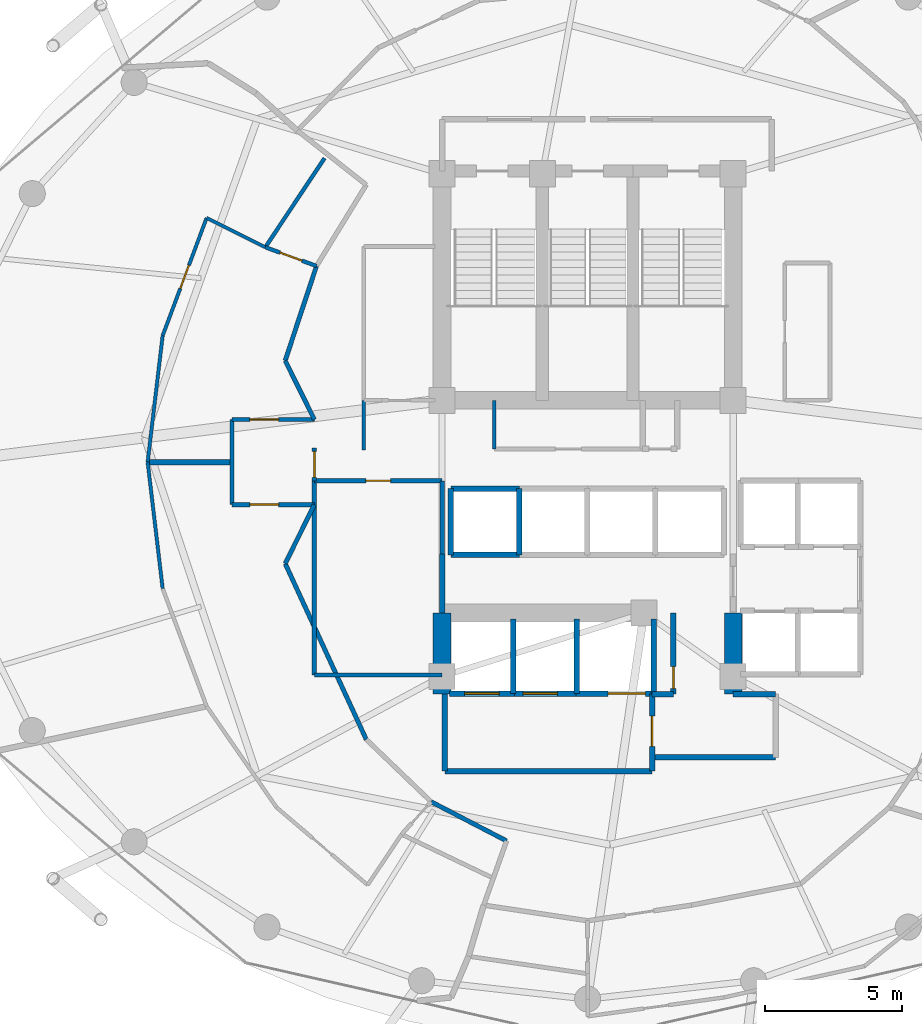
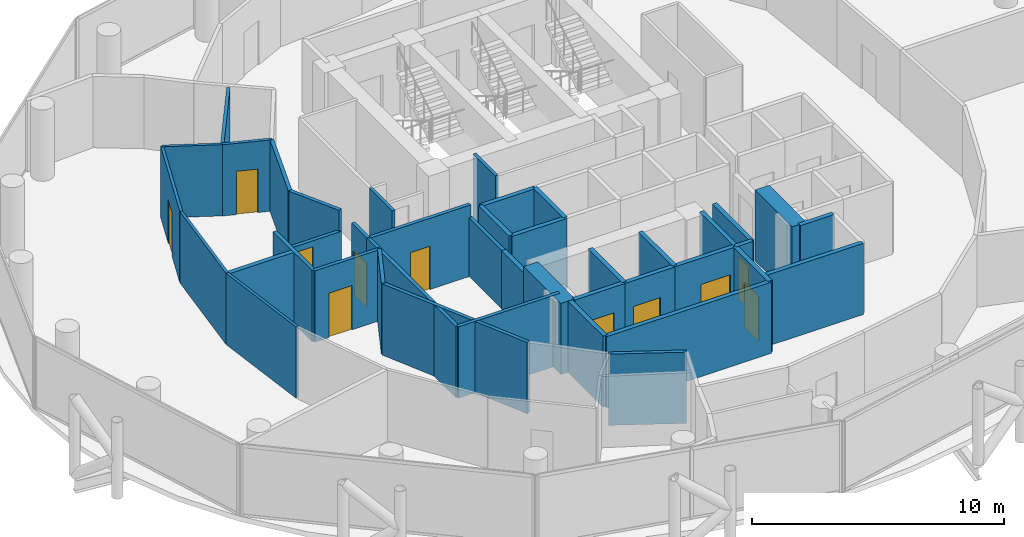
# One storey, part 22 of 26: 42 walls, 11 doors, 11 openings.
"""IFC4 building model written with IfcOpenShell, lengths in metres."""

from ifc_helpers import new_model, si_unit, direction, frame, frame_2d, origin, place, context, subcontext, project, spatial, rectangle, extrude, material, layer, layer_set, type_object, element, fill, save


model = new_model("IFC4")

# Units and contexts
model_context = context("Model", 3, precision=1e-05, world=origin(), true_north=direction((0.0, 1.0)))
body_context = subcontext(model_context, "Body", "Model", "MODEL_VIEW")
ifc_project = project(units=[si_unit("LENGTHUNIT", "METRE"), si_unit("AREAUNIT", "SQUARE_METRE"), si_unit("VOLUMEUNIT", "CUBIC_METRE"), si_unit("PLANEANGLEUNIT", "RADIAN"), si_unit("MASSUNIT", "GRAM", prefix="KILO")], contexts=[model_context])

# Site, building, storey
site_placement = place(None, origin())
site = spatial("IfcSite", under=ifc_project, at=site_placement, CompositionType="ELEMENT")
building_placement = place(site_placement, origin())
building = spatial("IfcBuilding", under=site, at=building_placement, Name="Nuhasar Tower", CompositionType="ELEMENT")
storey_placement = place(building_placement, frame((0.0, 0.0, 188.550048828125)))
storey = spatial("IfcBuildingStorey", under=building, at=storey_placement, Name="L46", CompositionType="ELEMENT", Elevation=188.550048828125)

# Walls
ifc_material_1 = material(Name="Concrete C65/80", Category="concrete")
ifc_layer_1 = layer(ifc_material_1, 0.64990234375)
ifc_layer_set_1 = layer_set([ifc_layer_1], Name="Concrete C65/80")
wall_type_1 = type_object("IfcWallType", Name="WL-CORE-650", PredefinedType="SHEAR", material=ifc_layer_set_1)
for number, where, z_axis, x_axis, name in (
    (1, (33.699951171875, 18.35009765625, 0.0), (0.0, 0.0, 1.0), (0.0, 1.0, 0.0), "L46 Core Shear Wall CW-SW CW-650"),
    (2, (44.300048828125, 18.35009765625, 0.0), (0.0, 0.0, 1.0), (0.0, 1.0, 0.0), "L46 Core Shear Wall CW-SE CW-650"),
):
    element("IfcWall", number, at=place(storey_placement, frame(where, z_axis=z_axis, x_axis=x_axis)), inside=storey, type_object=wall_type_1, Name=name, PredefinedType="SHEAR", context=body_context, shape_type="SweptSolid", body=[
        extrude(rectangle(XDim=2.949951171875, YDim=0.64990234375, at=frame_2d((1.47509765625, 0.0))), origin(), (0.0, 0.0, 1.0), 3.449951171875),
    ])
ifc_material_2 = material(Name="Gypsum Board", Category="gypsum")
ifc_layer_2 = layer(ifc_material_2, 0.159912109375)
ifc_layer_set_2 = layer_set([ifc_layer_2], Name="Gypsum Board")
wall_type_2 = type_object("IfcWallType", Name="WL-CORR-160", PredefinedType="PARTITIONING", material=ifc_layer_set_2)
wall_1_placement = place(storey_placement, frame((29.050048828125, 19.050048828125, 0.0), z_axis=(0.0, 0.0, 1.0), x_axis=(1.0, 0.0, 0.0)))
element("IfcWall", 3, at=wall_1_placement, inside=storey, type_object=wall_type_2, Name="L46 Interior Partition RECL-B1-S", PredefinedType="PARTITIONING", context=body_context, shape_type="SweptSolid", body=[
    extrude(rectangle(XDim=4.64990234375, YDim=0.159912109375, at=frame_2d((2.324951171875, 0.0))), origin(), (0.0, 0.0, 1.0), 3.449951171875),
])
wall_2_placement = place(storey_placement, frame((29.050048828125, 19.050048828125, 0.0), z_axis=(0.0, 0.0, 1.0), x_axis=(0.0, 1.0, 0.0)))
element("IfcWall", 4, at=wall_2_placement, inside=storey, type_object=wall_type_2, Name="L46 Interior Partition RECL-B1-W", PredefinedType="PARTITIONING", context=body_context, shape_type="SweptSolid", body=[
    extrude(rectangle(XDim=7.070068359375, YDim=0.159912109375, at=frame_2d((3.53515625, 0.0))), origin(), (0.0, 0.0, 1.0), 3.449951171875),
])
wall_3_placement = place(storey_placement, frame((33.699951171875, 23.449951171875, 0.0), z_axis=(0.0, 0.0, 1.0), x_axis=(0.0, 1.0, 0.0)))
element("IfcWall", 5, at=wall_3_placement, inside=storey, type_object=wall_type_2, Name="L46 Interior Partition RECL-B1-E", PredefinedType="PARTITIONING", context=body_context, shape_type="SweptSolid", body=[
    extrude(rectangle(XDim=2.670166015625, YDim=0.159912109375, at=frame_2d((1.3349609375, 0.0))), origin(), (0.0, 0.0, 1.0), 2.8349609375),
])

# Wall, opening, door
wall_4_placement = place(storey_placement, frame((33.699951171875, 26.1201171875, 0.0), z_axis=(0.0, 0.0, 1.0), x_axis=(-1.0, 0.0, 0.0)))
wall_4 = element("IfcWall", 6, at=wall_4_placement, inside=storey, type_object=wall_type_2, Name="L46 Interior Partition RECL-B1-N", PredefinedType="PARTITIONING", context=body_context, shape_type="SweptSolid", body=[
    extrude(rectangle(XDim=4.64990234375, YDim=0.159912109375, at=frame_2d((2.324951171875, 0.0))), origin(), (0.0, 0.0, 1.0), 3.449951171875),
])
opening_1_placement = place(wall_4_placement, frame((1.875, 0.0, 0.0)))
opening_1 = element("IfcOpeningElement", 7, at=opening_1_placement, cuts=wall_4, Name="Opening DR-01", PredefinedType="OPENING", context=body_context, shape_type="SweptSolid", body=[
    extrude(rectangle(XDim=0.89990234375, YDim=2.10009765625, at=frame_2d((0.449951171875, 1.050048828125))), frame((0.0, 0.08984375, 0.0), z_axis=(0.0, -1.0, 0.0), x_axis=(1.0, 0.0, 0.0)), (0.0, 0.0, 1.0), 0.179931640625),
])
ifc_material_3 = material(Name="Timber Oak", Category="wood")
door_type_1 = type_object("IfcDoorType", Name="DR-ROOM-900", OperationType="NOTDEFINED", PredefinedType="DOOR", material=ifc_material_3)
door_1_placement = place(opening_1_placement, origin())
door_1 = element("IfcDoor", 8, at=door_1_placement, inside=storey, type_object=door_type_1, Name="L46 Butler Store Door", OperationType="SINGLE_SWING_RIGHT", OverallHeight=2.10009765625, OverallWidth=0.89990234375, PredefinedType="DOOR", context=body_context, shape_type="SweptSolid", body=[
    extrude(rectangle(XDim=0.89990234375, YDim=2.10009765625, at=frame_2d((0.449951171875, 1.050048828125))), frame((0.0, 0.02490234375, 0.0), z_axis=(0.0, -1.0, 0.0), x_axis=(1.0, 0.0, 0.0)), (0.0, 0.0, 1.0), 0.050048828125),
])
fill(opening_1, door_1)

wall_5_placement = place(storey_placement, frame((29.050048828125, 26.1201171875, 0.0), z_axis=(0.0, 0.0, 1.0), x_axis=(0.0, 1.0, 0.0)))
wall_5 = element("IfcWall", 9, at=wall_5_placement, inside=storey, type_object=wall_type_2, Name="L46 Interior Partition WVEST-E", PredefinedType="PARTITIONING", context=body_context, shape_type="SweptSolid", body=[
    extrude(rectangle(XDim=1.199951171875, YDim=0.159912109375, at=frame_2d((0.60009765625, 0.0))), origin(), (0.0, 0.0, 1.0), 3.449951171875),
])
opening_2_placement = place(wall_5_placement, frame((0.125, 0.0, 0.0)))
opening_2 = element("IfcOpeningElement", 10, at=opening_2_placement, cuts=wall_5, Name="Opening DO-01", PredefinedType="OPENING", context=body_context, shape_type="SweptSolid", body=[
    extrude(rectangle(XDim=0.949951171875, YDim=2.14990234375, at=frame_2d((0.47509765625, 1.074951171875))), frame((0.0, 0.08984375, 0.0), z_axis=(0.0, -1.0, 0.0), x_axis=(1.0, 0.0, 0.0)), (0.0, 0.0, 1.0), 0.179931640625),
])
door_type_2 = type_object("IfcDoorType", Name="DR-OFFICE-FD30-950", OperationType="NOTDEFINED", PredefinedType="DOOR", material=ifc_material_3)
door_2_placement = place(opening_2_placement, origin())
door_2 = element("IfcDoor", 11, at=door_2_placement, inside=storey, type_object=door_type_2, Name="L46 West Arrival Foyer Core Door", OperationType="SINGLE_SWING_RIGHT", OverallHeight=2.14990234375, OverallWidth=0.949951171875, PredefinedType="DOOR", context=body_context, shape_type="SweptSolid", body=[
    extrude(rectangle(XDim=0.949951171875, YDim=2.14990234375, at=frame_2d((0.47509765625, 1.074951171875))), frame((0.0, 0.02490234375, 0.0), z_axis=(0.0, -1.0, 0.0), x_axis=(1.0, 0.0, 0.0)), (0.0, 0.0, 1.0), 0.050048828125),
])
fill(opening_2, door_2)

# Walls
wall_6_placement = place(storey_placement, frame((29.126953125, 33.93994140625, 0.0), z_axis=(0.0, 0.0, 1.0), x_axis=(-0.313985571683, -0.949427754374, 0.0)))
element("IfcWall", 12, at=wall_6_placement, inside=storey, type_object=wall_type_2, Name="L46 Interior Partition HWEST-CORE-N-20", PredefinedType="PARTITIONING", context=body_context, shape_type="SweptSolid", body=[
    extrude(rectangle(XDim=3.627197265625, YDim=0.159912109375, at=frame_2d((1.8134765625, 0.0))), origin(), (0.0, 0.0, 1.0), 3.449951171875),
])
wall_7_placement = place(storey_placement, frame((27.988037109375, 23.10400390625, 0.0), z_axis=(0.0, 0.0, 1.0), x_axis=(0.418656179426, -0.908144814128, 0.0)))
element("IfcWall", 13, at=wall_7_placement, inside=storey, type_object=wall_type_2, Name="L46 Interior Partition HWEST-CORE-S1-26", PredefinedType="PARTITIONING", context=body_context, shape_type="SweptSolid", body=[
    extrude(rectangle(XDim=7.048583984375, YDim=0.159912109375, at=frame_2d((3.5244140625, 0.0))), origin(), (0.0, 0.0, 1.0), 3.449951171875),
])
wall_8_placement = place(storey_placement, frame((33.300048828125, 14.43310546875, 0.0), z_axis=(0.0, 0.0, 1.0), x_axis=(0.887674575788, -0.460471331898, 0.0)))
element("IfcWall", 14, at=wall_8_placement, inside=storey, type_object=wall_type_2, Name="L46 Interior Partition HWEST-CORE-S2-32", PredefinedType="PARTITIONING", context=body_context, shape_type="SweptSolid", body=[
    extrude(rectangle(XDim=3.096923828125, YDim=0.159912109375, at=frame_2d((1.54833984375, 0.0))), origin(), (0.0, 0.0, 1.0), 3.449951171875),
])

# Wall, opening, door
wall_9_placement = place(storey_placement, frame((26.050048828125, 28.35009765625, 0.0), z_axis=(0.0, 0.0, 1.0), x_axis=(1.0, 0.0, 0.0)))
wall_9 = element("IfcWall", 15, at=wall_9_placement, inside=storey, type_object=wall_type_2, Name="L46 Interior Partition WVEST-N", PredefinedType="PARTITIONING", context=body_context, shape_type="SweptSolid", body=[
    extrude(rectangle(XDim=3.0, YDim=0.159912109375, at=frame_2d((1.5, 0.0))), origin(), (0.0, 0.0, 1.0), 2.43994140625),
])
opening_3_placement = place(wall_9_placement, frame((0.64990234375, 0.0, 0.0)))
opening_3 = element("IfcOpeningElement", 16, at=opening_3_placement, cuts=wall_9, Name="Opening DU-01", PredefinedType="OPENING", context=body_context, shape_type="SweptSolid", body=[
    extrude(rectangle(XDim=1.050048828125, YDim=2.14990234375, at=frame_2d((0.52490234375, 1.074951171875))), frame((0.0, 0.08984375, 0.0), z_axis=(0.0, -1.0, 0.0), x_axis=(1.0, 0.0, 0.0)), (0.0, 0.0, 1.0), 0.179931640625),
])
door_type_3 = type_object("IfcDoorType", Name="DR-SUITE-FD60-1050", OperationType="NOTDEFINED", PredefinedType="DOOR", material=ifc_material_3)
door_3_placement = place(opening_3_placement, origin())
door_3 = element("IfcDoor", 17, at=door_3_placement, inside=storey, type_object=door_type_3, Name="L46 North-West Sunset Suite Entrance", OperationType="SINGLE_SWING_LEFT", OverallHeight=2.14990234375, OverallWidth=1.050048828125, PredefinedType="DOOR", context=body_context, shape_type="SweptSolid", body=[
    extrude(rectangle(XDim=1.050048828125, YDim=2.14990234375, at=frame_2d((0.52490234375, 1.074951171875))), frame((0.0, 0.02490234375, 0.0), z_axis=(0.0, -1.0, 0.0), x_axis=(1.0, 0.0, 0.0)), (0.0, 0.0, 1.0), 0.050048828125),
])
fill(opening_3, door_3)

wall_10_placement = place(storey_placement, frame((26.050048828125, 25.25, 0.0), z_axis=(0.0, 0.0, 1.0), x_axis=(1.0, 0.0, 0.0)))
wall_10 = element("IfcWall", 18, at=wall_10_placement, inside=storey, type_object=wall_type_2, Name="L46 Interior Partition WVEST-S", PredefinedType="PARTITIONING", context=body_context, shape_type="SweptSolid", body=[
    extrude(rectangle(XDim=3.0, YDim=0.159912109375, at=frame_2d((1.5, 0.0))), origin(), (0.0, 0.0, 1.0), 3.449951171875),
])
opening_4_placement = place(wall_10_placement, frame((0.64990234375, 0.0, 0.0)))
opening_4 = element("IfcOpeningElement", 19, at=opening_4_placement, cuts=wall_10, Name="Opening DU-01", PredefinedType="OPENING", context=body_context, shape_type="SweptSolid", body=[
    extrude(rectangle(XDim=1.050048828125, YDim=2.14990234375, at=frame_2d((0.52490234375, 1.074951171875))), frame((0.0, 0.08984375, 0.0), z_axis=(0.0, -1.0, 0.0), x_axis=(1.0, 0.0, 0.0)), (0.0, 0.0, 1.0), 0.179931640625),
])
door_4_placement = place(opening_4_placement, origin())
door_4 = element("IfcDoor", 20, at=door_4_placement, inside=storey, type_object=door_type_3, Name="L46 South-West Presidential Suite Entrance", OperationType="SINGLE_SWING_LEFT", OverallHeight=2.14990234375, OverallWidth=1.050048828125, PredefinedType="DOOR", context=body_context, shape_type="SweptSolid", body=[
    extrude(rectangle(XDim=1.050048828125, YDim=2.14990234375, at=frame_2d((0.52490234375, 1.074951171875))), frame((0.0, 0.02490234375, 0.0), z_axis=(0.0, -1.0, 0.0), x_axis=(1.0, 0.0, 0.0)), (0.0, 0.0, 1.0), 0.050048828125),
])
fill(opening_4, door_4)

# Walls
wall_11_placement = place(storey_placement, frame((26.050048828125, 25.25, 0.0), z_axis=(0.0, 0.0, 1.0), x_axis=(0.0, 1.0, 0.0)))
element("IfcWall", 21, at=wall_11_placement, inside=storey, type_object=wall_type_2, Name="L46 Interior Partition WVEST-W", PredefinedType="PARTITIONING", context=body_context, shape_type="SweptSolid", body=[
    extrude(rectangle(XDim=3.10009765625, YDim=0.159912109375, at=frame_2d((1.550048828125, 0.0))), origin(), (0.0, 0.0, 1.0), 3.449951171875),
])
for number, where, z_axis, x_axis, name in (
    (22, (27.988037109375, 30.49609375, 0.0), (0.0, 0.0, 1.0), (0.443539160525, -0.896254993337, 0.0), "L46 Interior Partition WVEST-CN"),
    (23, (27.988037109375, 23.10400390625, 0.0), (0.0, 0.0, 1.0), (0.443539160525, 0.896254993337, 0.0), "L46 Interior Partition WVEST-CS"),
):
    element("IfcWall", number, at=place(storey_placement, frame(where, z_axis=z_axis, x_axis=x_axis)), inside=storey, type_object=wall_type_2, Name=name, PredefinedType="PARTITIONING", context=body_context, shape_type="SweptSolid", body=[
        extrude(rectangle(XDim=2.394287109375, YDim=0.159912109375, at=frame_2d((1.197265625, 0.0))), origin(), (0.0, 0.0, 1.0), 3.449951171875),
    ])
ifc_material_4 = material(Name="Concrete C45/55", Category="concrete")
ifc_layer_3 = layer(ifc_material_4, 0.199951171875)
ifc_layer_set_3 = layer_set([ifc_layer_3], Name="Concrete C45/55")
wall_type_3 = type_object("IfcWallType", Name="WL-LOBBY-200", PredefinedType="SOLIDWALL", material=ifc_layer_set_3)
wall_12_placement = place(storey_placement, frame((33.699951171875, 21.300048828125, 0.0), z_axis=(0.0, 0.0, 1.0), x_axis=(0.0, 1.0, 0.0)))
element("IfcWall", 24, at=wall_12_placement, inside=storey, type_object=wall_type_3, Name="L46 Interior Partition LLBH-W", PredefinedType="SOLIDWALL", context=body_context, shape_type="SweptSolid", body=[
    extrude(rectangle(XDim=2.14990234375, YDim=0.199951171875, at=frame_2d((1.074951171875, 0.0))), origin(), (0.0, 0.0, 1.0), 2.8349609375),
])
wall_13_placement = place(storey_placement, frame((33.800048828125, 15.550048828125, 0.0), z_axis=(0.0, 0.0, 1.0), x_axis=(1.0, 0.0, 0.0)))
element("IfcWall", 25, at=wall_13_placement, inside=storey, type_object=wall_type_3, Name="L46 Interior Partition FFL-S", PredefinedType="SOLIDWALL", context=body_context, shape_type="SweptSolid", body=[
    extrude(rectangle(XDim=7.550048828125, YDim=0.199951171875, at=frame_2d((3.77490234375, 0.0))), origin(), (0.0, 0.0, 1.0), 3.449951171875),
])
wall_14_placement = place(storey_placement, frame((33.800048828125, 15.550048828125, 0.0), z_axis=(0.0, 0.0, 1.0), x_axis=(0.0, 1.0, 0.0)))
element("IfcWall", 26, at=wall_14_placement, inside=storey, type_object=wall_type_3, Name="L46 Interior Partition FFL-W", PredefinedType="SOLIDWALL", context=body_context, shape_type="SweptSolid", body=[
    extrude(rectangle(XDim=2.800048828125, YDim=0.199951171875, at=frame_2d((1.39990234375, 0.0))), origin(), (0.0, 0.0, 1.0), 3.449951171875),
])

# Wall, opening, door
wall_15_placement = place(storey_placement, frame((41.35009765625, 15.550048828125, 0.0), z_axis=(0.0, 0.0, 1.0), x_axis=(0.0, 1.0, 0.0)))
wall_15 = element("IfcWall", 27, at=wall_15_placement, inside=storey, type_object=wall_type_3, Name="L46 Interior Partition FFL-E", PredefinedType="SOLIDWALL", context=body_context, shape_type="SweptSolid", body=[
    extrude(rectangle(XDim=2.800048828125, YDim=0.199951171875, at=frame_2d((1.39990234375, 0.0))), origin(), (0.0, 0.0, 1.0), 3.449951171875),
])
opening_5_placement = place(wall_15_placement, frame((0.89990234375, 0.0, 0.0)))
opening_5 = element("IfcOpeningElement", 28, at=opening_5_placement, cuts=wall_15, Name="Opening DS-02", PredefinedType="OPENING", context=body_context, shape_type="SweptSolid", body=[
    extrude(rectangle(XDim=1.10009765625, YDim=2.14990234375, at=frame_2d((0.550048828125, 1.074951171875))), frame((0.0, 0.10986328125, 0.0), z_axis=(0.0, -1.0, 0.0), x_axis=(1.0, 0.0, 0.0)), (0.0, 0.0, 1.0), 0.219970703125),
])
ifc_material_5 = material(Name="Steel S355", Category="steel")
door_type_4 = type_object("IfcDoorType", Name="DR-FFL-FD120-1100", OperationType="NOTDEFINED", PredefinedType="DOOR", material=ifc_material_5)
door_5_placement = place(opening_5_placement, origin())
door_5 = element("IfcDoor", 29, at=door_5_placement, inside=storey, type_object=door_type_4, Name="L46 Firefighting Lobby Door", OperationType="SINGLE_SWING_RIGHT", OverallHeight=2.14990234375, OverallWidth=1.10009765625, PredefinedType="DOOR", context=body_context, shape_type="SweptSolid", body=[
    extrude(rectangle(XDim=1.10009765625, YDim=2.14990234375, at=frame_2d((0.550048828125, 1.074951171875))), frame((0.0, 0.02490234375, 0.0), z_axis=(0.0, -1.0, 0.0), x_axis=(1.0, 0.0, 0.0)), (0.0, 0.0, 1.0), 0.050048828125),
])
fill(opening_5, door_5)

# Walls
wall_16_placement = place(storey_placement, frame((41.35009765625, 16.050048828125, 0.0), z_axis=(0.0, 0.0, 1.0), x_axis=(1.0, 0.0, 0.0)))
element("IfcWall", 30, at=wall_16_placement, inside=storey, type_object=wall_type_3, Name="L46 Interior Partition SVLV-S", PredefinedType="SOLIDWALL", context=body_context, shape_type="SweptSolid", body=[
    extrude(rectangle(XDim=4.5, YDim=0.199951171875, at=frame_2d((2.25, 0.0))), origin(), (0.0, 0.0, 1.0), 3.449951171875),
])
wall_17_placement = place(storey_placement, frame((44.300048828125, 18.35009765625, 0.0), z_axis=(0.0, 0.0, 1.0), x_axis=(1.0, 0.0, 0.0)))
element("IfcWall", 31, at=wall_17_placement, inside=storey, type_object=wall_type_3, Name="L46 Interior Partition SVLV-N", PredefinedType="SOLIDWALL", context=body_context, shape_type="SweptSolid", body=[
    extrude(rectangle(XDim=1.550048828125, YDim=0.199951171875, at=frame_2d((0.77490234375, 0.0))), origin(), (0.0, 0.0, 1.0), 3.449951171875),
])
ifc_layer_4 = layer(ifc_material_2, 0.125)
ifc_layer_set_4 = layer_set([ifc_layer_4], Name="Gypsum Board")
wall_type_4 = type_object("IfcWallType", Name="WL-PART-125", PredefinedType="PARTITIONING", material=ifc_layer_set_4)
wall_18_placement = place(storey_placement, frame((27.264892578125, 34.625, 0.0), z_axis=(0.0, 0.0, 1.0), x_axis=(-0.895182030291, 0.445700720937, 0.0)))
element("IfcWall", 32, at=wall_18_placement, inside=storey, type_object=wall_type_4, Name="L46 Interior Partition HWS1-S", PredefinedType="PARTITIONING", context=body_context, shape_type="SweptSolid", body=[
    extrude(rectangle(XDim=2.389404296875, YDim=0.125, at=frame_2d((1.19482421875, 0.0))), origin(), (0.0, 0.0, 1.0), 3.449951171875),
])

# Wall, opening, door
wall_19_placement = place(storey_placement, frame((25.1259765625, 35.68994140625, 0.0), z_axis=(0.0, 0.0, 1.0), x_axis=(-0.349620571525, -0.936891378958, 0.0)))
wall_19 = element("IfcWall", 33, at=wall_19_placement, inside=storey, type_object=wall_type_4, Name="L46 Interior Partition HWS1-ARC-20", PredefinedType="PARTITIONING", context=body_context, shape_type="SweptSolid", body=[
    extrude(rectangle(XDim=4.57666015625, YDim=0.125, at=frame_2d((2.288330078125, 0.0))), origin(), (0.0, 0.0, 1.0), 3.449951171875),
])
opening_6_placement = place(wall_19_placement, frame((1.837890625, 0.0, 0.0)))
opening_6 = element("IfcOpeningElement", 34, at=opening_6_placement, cuts=wall_19, Name="Opening DR-01", PredefinedType="OPENING", context=body_context, shape_type="SweptSolid", body=[
    extrude(rectangle(XDim=0.89990234375, YDim=2.10009765625, at=frame_2d((0.449951171875, 1.050048828125))), frame((0.0, 0.072509765625, 0.0), z_axis=(0.0, -1.0, 0.0), x_axis=(1.0, 0.0, 0.0)), (0.0, 0.0, 1.0), 0.14501953125),
])
door_6_placement = place(opening_6_placement, origin())
door_6 = element("IfcDoor", 35, at=door_6_placement, inside=storey, type_object=door_type_1, Name="L46 North-West Sunset Suite Bedroom Door", OperationType="SINGLE_SWING_RIGHT", OverallHeight=2.10009765625, OverallWidth=0.89990234375, PredefinedType="DOOR", context=body_context, shape_type="SweptSolid", body=[
    extrude(rectangle(XDim=0.89990234375, YDim=2.10009765625, at=frame_2d((0.449951171875, 1.050048828125))), frame((0.0, 0.02490234375, 0.0), z_axis=(0.0, -1.0, 0.0), x_axis=(1.0, 0.0, 0.0)), (0.0, 0.0, 1.0), 0.050048828125),
])
fill(opening_6, door_6)

# Walls
for number, where, z_axis, x_axis, name in (
    (36, (23.52587890625, 31.402099609375, 0.0), (0.0, 0.0, 1.0), (-0.117794846718, -0.993037951987, 0.0), "L46 Interior Partition HWS1-ARC-22"),
    (37, (22.97998046875, 26.800048828125, 0.0), (0.0, 0.0, 1.0), (0.117794846718, -0.993037951987, 0.0), "L46 Interior Partition HWS2-ARC-24"),
):
    element("IfcWall", number, at=place(storey_placement, frame(where, z_axis=z_axis, x_axis=x_axis)), inside=storey, type_object=wall_type_4, Name=name, PredefinedType="PARTITIONING", context=body_context, shape_type="SweptSolid", body=[
        extrude(rectangle(XDim=4.63427734375, YDim=0.125, at=frame_2d((2.317138671875, 0.0))), origin(), (0.0, 0.0, 1.0), 3.449951171875),
    ])
ifc_layer_5 = layer(ifc_material_4, 0.199951171875)
ifc_layer_set_5 = layer_set([ifc_layer_5], Name="Concrete C45/55")
wall_type_5 = type_object("IfcWallType", Name="WL-SHAFT-200", PredefinedType="SOLIDWALL", material=ifc_layer_set_5)
for number, where, z_axis, x_axis, name in (
    (38, (34.02001953125, 23.419921875, 0.0), (0.0, 0.0, 1.0), (1.0, 0.0, 0.0), "L46 Interior Partition SHF-PL-H01-S"),
    (39, (34.02001953125, 25.830078125, 0.0), (0.0, 0.0, 1.0), (1.0, 0.0, 0.0), "L46 Interior Partition SHF-PL-H01-N"),
):
    element("IfcWall", number, at=place(storey_placement, frame(where, z_axis=z_axis, x_axis=x_axis)), inside=storey, type_object=wall_type_5, Name=name, PredefinedType="SOLIDWALL", context=body_context, shape_type="SweptSolid", body=[
        extrude(rectangle(XDim=2.5, YDim=0.199951171875, at=frame_2d((1.25, 0.0))), origin(), (0.0, 0.0, 1.0), 3.449951171875),
    ])
for number, where, z_axis, x_axis, name in (
    (40, (34.02001953125, 23.419921875, 0.0), (0.0, 0.0, 1.0), (0.0, 1.0, 0.0), "L46 Interior Partition SHF-PL-H01-W"),
    (41, (36.510009765625, 23.419921875, 0.0), (0.0, 0.0, 1.0), (0.0, 1.0, 0.0), "L46 Interior Partition SHF-PL-H01-E"),
):
    element("IfcWall", number, at=place(storey_placement, frame(where, z_axis=z_axis, x_axis=x_axis)), inside=storey, type_object=wall_type_5, Name=name, PredefinedType="SOLIDWALL", context=body_context, shape_type="SweptSolid", body=[
        extrude(rectangle(XDim=2.41015625, YDim=0.199951171875, at=frame_2d((1.205078125, 0.0))), origin(), (0.0, 0.0, 1.0), 3.449951171875),
    ])

# Wall, opening, door
wall_20_placement = place(storey_placement, frame((33.969970703125, 18.3701171875, 0.0), z_axis=(0.0, 0.0, 1.0), x_axis=(1.0, 0.0, 0.0)))
wall_20 = element("IfcWall", 42, at=wall_20_placement, inside=storey, type_object=wall_type_5, Name="L46 Interior Partition SHF-FFL-01-S", PredefinedType="SOLIDWALL", context=body_context, shape_type="SweptSolid", body=[
    extrude(rectangle(XDim=2.360107421875, YDim=0.199951171875, at=frame_2d((1.18017578125, 0.0))), origin(), (0.0, 0.0, 1.0), 3.449951171875),
])
opening_7_placement = place(wall_20_placement, frame((0.554931640625, 0.0, 0.0)))
opening_7 = element("IfcOpeningElement", 43, at=opening_7_placement, cuts=wall_20, Name="Opening LD-F01", PredefinedType="OPENING", context=body_context, shape_type="SweptSolid", body=[
    extrude(rectangle(XDim=1.25, YDim=2.199951171875, at=frame_2d((0.625, 1.10009765625))), frame((0.0, 0.10986328125, 0.0), z_axis=(0.0, -1.0, 0.0), x_axis=(1.0, 0.0, 0.0)), (0.0, 0.0, 1.0), 0.219970703125),
])
ifc_material_6 = material(Name="Stainless Steel 316L", Category="steel")
door_type_5 = type_object("IfcDoorType", Name="LD-FFL-1250", OperationType="DOUBLE_DOOR_SLIDING", PredefinedType="DOOR", material=ifc_material_6)
door_7_placement = place(opening_7_placement, origin())
door_7 = element("IfcDoor", 44, at=door_7_placement, inside=storey, type_object=door_type_5, Name="L46 Lift Landing Door FFL-01", OperationType="DOUBLE_DOOR_SLIDING", OverallHeight=2.199951171875, OverallWidth=1.25, PredefinedType="DOOR", context=body_context, shape_type="SweptSolid", body=[
    extrude(rectangle(XDim=1.25, YDim=2.199951171875, at=frame_2d((0.625, 1.10009765625))), frame((0.0, 0.02490234375, 0.0), z_axis=(0.0, -1.0, 0.0), x_axis=(1.0, 0.0, 0.0)), (0.0, 0.0, 1.0), 0.050048828125),
])
fill(opening_7, door_7)

# Wall
wall_21_placement = place(storey_placement, frame((36.300048828125, 18.3701171875, 0.0), z_axis=(0.0, 0.0, 1.0), x_axis=(0.0, 1.0, 0.0)))
element("IfcWall", 45, at=wall_21_placement, inside=storey, type_object=wall_type_5, Name="L46 Interior Partition SHF-FFL-01-E", PredefinedType="SOLIDWALL", context=body_context, shape_type="SweptSolid", body=[
    extrude(rectangle(XDim=2.7099609375, YDim=0.199951171875, at=frame_2d((1.35498046875, 0.0))), origin(), (0.0, 0.0, 1.0), 3.449951171875),
])

# Wall, opening, door
wall_22_placement = place(storey_placement, frame((36.27001953125, 18.3701171875, 0.0), z_axis=(0.0, 0.0, 1.0), x_axis=(1.0, 0.0, 0.0)))
wall_22 = element("IfcWall", 46, at=wall_22_placement, inside=storey, type_object=wall_type_5, Name="L46 Interior Partition SHF-FFL-02-S", PredefinedType="SOLIDWALL", context=body_context, shape_type="SweptSolid", body=[
    extrude(rectangle(XDim=2.35986328125, YDim=0.199951171875, at=frame_2d((1.179931640625, 0.0))), origin(), (0.0, 0.0, 1.0), 3.449951171875),
])
opening_8_placement = place(wall_22_placement, frame((0.3798828125, 0.0, 0.0)))
opening_8 = element("IfcOpeningElement", 47, at=opening_8_placement, cuts=wall_22, Name="Opening LD-F02", PredefinedType="OPENING", context=body_context, shape_type="SweptSolid", body=[
    extrude(rectangle(XDim=1.25, YDim=2.199951171875, at=frame_2d((0.625, 1.10009765625))), frame((0.0, 0.10986328125, 0.0), z_axis=(0.0, -1.0, 0.0), x_axis=(1.0, 0.0, 0.0)), (0.0, 0.0, 1.0), 0.219970703125),
])
door_8_placement = place(opening_8_placement, origin())
door_8 = element("IfcDoor", 48, at=door_8_placement, inside=storey, type_object=door_type_5, Name="L46 Lift Landing Door FFL-02", OperationType="DOUBLE_DOOR_SLIDING", OverallHeight=2.199951171875, OverallWidth=1.25, PredefinedType="DOOR", context=body_context, shape_type="SweptSolid", body=[
    extrude(rectangle(XDim=1.25, YDim=2.199951171875, at=frame_2d((0.625, 1.10009765625))), frame((0.0, 0.02490234375, 0.0), z_axis=(0.0, -1.0, 0.0), x_axis=(1.0, 0.0, 0.0)), (0.0, 0.0, 1.0), 0.050048828125),
])
fill(opening_8, door_8)

# Wall
wall_23_placement = place(storey_placement, frame((38.60009765625, 18.3701171875, 0.0), z_axis=(0.0, 0.0, 1.0), x_axis=(0.0, 1.0, 0.0)))
element("IfcWall", 49, at=wall_23_placement, inside=storey, type_object=wall_type_5, Name="L46 Interior Partition SHF-FFL-02-E", PredefinedType="SOLIDWALL", context=body_context, shape_type="SweptSolid", body=[
    extrude(rectangle(XDim=2.7099609375, YDim=0.199951171875, at=frame_2d((1.35498046875, 0.0))), origin(), (0.0, 0.0, 1.0), 3.449951171875),
])

# Wall, opening, door
wall_24_placement = place(storey_placement, frame((38.570068359375, 18.3701171875, 0.0), z_axis=(0.0, 0.0, 1.0), x_axis=(1.0, 0.0, 0.0)))
wall_24 = element("IfcWall", 50, at=wall_24_placement, inside=storey, type_object=wall_type_5, Name="L46 Interior Partition SHF-SVL-01-S", PredefinedType="SOLIDWALL", context=body_context, shape_type="SweptSolid", body=[
    extrude(rectangle(XDim=2.829833984375, YDim=0.199951171875, at=frame_2d((1.4150390625, 0.0))), origin(), (0.0, 0.0, 1.0), 3.449951171875),
])
opening_9_placement = place(wall_24_placement, frame((1.179931640625, 0.0, 0.0)))
opening_9 = element("IfcOpeningElement", 51, at=opening_9_placement, cuts=wall_24, Name="Opening LD-S01", PredefinedType="OPENING", context=body_context, shape_type="SweptSolid", body=[
    extrude(rectangle(XDim=1.35009765625, YDim=2.179931640625, at=frame_2d((0.675048828125, 1.08984375))), frame((0.0, 0.10986328125, 0.0), z_axis=(0.0, -1.0, 0.0), x_axis=(1.0, 0.0, 0.0)), (0.0, 0.0, 1.0), 0.219970703125),
])
door_type_6 = type_object("IfcDoorType", Name="LD-SVL-1350", OperationType="DOUBLE_DOOR_SLIDING", PredefinedType="DOOR", material=ifc_material_6)
door_9_placement = place(opening_9_placement, origin())
door_9 = element("IfcDoor", 52, at=door_9_placement, inside=storey, type_object=door_type_6, Name="L46 Lift Landing Door SVL-01", OperationType="DOUBLE_DOOR_SLIDING", OverallHeight=2.179931640625, OverallWidth=1.35009765625, PredefinedType="DOOR", context=body_context, shape_type="SweptSolid", body=[
    extrude(rectangle(XDim=1.35009765625, YDim=2.179931640625, at=frame_2d((0.675048828125, 1.08984375))), frame((0.0, 0.02490234375, 0.0), z_axis=(0.0, -1.0, 0.0), x_axis=(1.0, 0.0, 0.0)), (0.0, 0.0, 1.0), 0.050048828125),
])
fill(opening_9, door_9)

# Wall
wall_25_placement = place(storey_placement, frame((41.39990234375, 18.3701171875, 0.0), z_axis=(0.0, 0.0, 1.0), x_axis=(0.0, 1.0, 0.0)))
element("IfcWall", 53, at=wall_25_placement, inside=storey, type_object=wall_type_5, Name="L46 Interior Partition SHF-SVL-01-E", PredefinedType="SOLIDWALL", context=body_context, shape_type="SweptSolid", body=[
    extrude(rectangle(XDim=2.7099609375, YDim=0.199951171875, at=frame_2d((1.35498046875, 0.0))), origin(), (0.0, 0.0, 1.0), 3.449951171875),
])

# Wall, opening, door
wall_26_placement = place(storey_placement, frame((42.1201171875, 18.35009765625, 0.0), z_axis=(0.0, 0.0, 1.0), x_axis=(0.0, 1.0, 0.0)))
wall_26 = element("IfcWall", 54, at=wall_26_placement, inside=storey, type_object=wall_type_5, Name="L46 Interior Partition RSR-E", PredefinedType="SOLIDWALL", context=body_context, shape_type="SweptSolid", body=[
    extrude(rectangle(XDim=2.949951171875, YDim=0.199951171875, at=frame_2d((1.47509765625, 0.0))), origin(), (0.0, 0.0, 1.0), 3.449951171875),
])
opening_10_placement = place(wall_26_placement, frame((0.199951171875, 0.0, 0.0)))
opening_10 = element("IfcOpeningElement", 55, at=opening_10_placement, cuts=wall_26, Name="Opening DM-01", PredefinedType="OPENING", context=body_context, shape_type="SweptSolid", body=[
    extrude(rectangle(XDim=0.800048828125, YDim=2.050048828125, at=frame_2d((0.39990234375, 1.02490234375))), frame((0.0, 0.10986328125, 0.0), z_axis=(0.0, -1.0, 0.0), x_axis=(1.0, 0.0, 0.0)), (0.0, 0.0, 1.0), 0.219970703125),
])
door_type_7 = type_object("IfcDoorType", Name="DR-RISER-FD60-800", OperationType="NOTDEFINED", PredefinedType="DOOR", material=ifc_material_5)
door_10_placement = place(opening_10_placement, origin())
door_10 = element("IfcDoor", 56, at=door_10_placement, inside=storey, type_object=door_type_7, Name="L46 MEP Riser Access Door", OperationType="SINGLE_SWING_LEFT", OverallHeight=2.050048828125, OverallWidth=0.800048828125, PredefinedType="DOOR", context=body_context, shape_type="SweptSolid", body=[
    extrude(rectangle(XDim=0.800048828125, YDim=2.050048828125, at=frame_2d((0.39990234375, 1.02490234375))), frame((0.0, 0.02490234375, 0.0), z_axis=(0.0, -1.0, 0.0), x_axis=(1.0, 0.0, 0.0)), (0.0, 0.0, 1.0), 0.050048828125),
])
fill(opening_10, door_10)

# Walls
wall_27_placement = place(storey_placement, frame((41.35009765625, 18.35009765625, 0.0), z_axis=(0.0, 0.0, 1.0), x_axis=(1.0, 0.0, 0.0)))
element("IfcWall", 57, at=wall_27_placement, inside=storey, type_object=wall_type_5, Name="L46 Interior Partition RSR-S", PredefinedType="SOLIDWALL", context=body_context, shape_type="SweptSolid", body=[
    extrude(rectangle(XDim=0.77001953125, YDim=0.199951171875, at=frame_2d((0.385009765625, 0.0))), origin(), (0.0, 0.0, 1.0), 3.449951171875),
])
ifc_material_7 = material(Name="Concrete C40/50 precast", Category="concrete")
ifc_layer_6 = layer(ifc_material_7, 0.199951171875)
ifc_layer_set_6 = layer_set([ifc_layer_6], Name="Concrete C40/50 precast")
wall_type_6 = type_object("IfcWallType", Name="WL-UNIT-200", PredefinedType="PARTITIONING", material=ifc_layer_set_6)
wall_28_placement = place(storey_placement, frame((26.050048828125, 26.800048828125, 0.0), z_axis=(0.0, 0.0, 1.0), x_axis=(-1.0, 0.0, 0.0)))
element("IfcWall", 58, at=wall_28_placement, inside=storey, type_object=wall_type_6, Name="L46 Interior Partition HWEST-DIV-IN", PredefinedType="PARTITIONING", context=body_context, shape_type="SweptSolid", body=[
    extrude(rectangle(XDim=3.070068359375, YDim=0.199951171875, at=frame_2d((1.53515625, 0.0))), origin(), (0.0, 0.0, 1.0), 3.449951171875),
])
ifc_layer_7 = layer(ifc_material_7, 0.139892578125)
ifc_layer_set_7 = layer_set([ifc_layer_7], Name="Concrete C40/50 precast")
wall_type_7 = type_object("IfcWallType", Name="WL-WET-140", PredefinedType="PARTITIONING", material=ifc_layer_set_7)
wall_29_placement = place(storey_placement, frame((35.60009765625, 27.280029296875, 0.0), z_axis=(0.0, 0.0, 1.0), x_axis=(0.0, 1.0, 0.0)))
element("IfcWall", 59, at=wall_29_placement, inside=storey, type_object=wall_type_7, Name="L46 Interior Partition CSVC-W", PredefinedType="PARTITIONING", context=body_context, shape_type="SweptSolid", body=[
    extrude(rectangle(XDim=1.77001953125, YDim=0.139892578125, at=frame_2d((0.885009765625, 0.0))), origin(), (0.0, 0.0, 1.0), 3.449951171875),
])
wall_30_placement = place(storey_placement, frame((30.85009765625, 27.239990234375, 0.0), z_axis=(0.0, 0.0, 1.0), x_axis=(0.0, 1.0, 0.0)))
element("IfcWall", 60, at=wall_30_placement, inside=storey, type_object=wall_type_7, Name="L46 Interior Partition K3-FOY-W", PredefinedType="PARTITIONING", context=body_context, shape_type="SweptSolid", body=[
    extrude(rectangle(XDim=1.81005859375, YDim=0.139892578125, at=frame_2d((0.905029296875, 0.0))), origin(), (0.0, 0.0, 1.0), 3.449951171875),
])

# Wall, opening, door
wall_31_placement = place(storey_placement, frame((27.264892578125, 34.625, 0.0), z_axis=(0.0, 0.0, 1.0), x_axis=(0.938500583084, -0.345277649945, 0.0)))
wall_31 = element("IfcWall", 61, at=wall_31_placement, inside=storey, type_object=wall_type_7, Name="L46 Interior Partition HBW1-S", PredefinedType="PARTITIONING", context=body_context, shape_type="SweptSolid", body=[
    extrude(rectangle(XDim=1.984130859375, YDim=0.139892578125, at=frame_2d((0.9921875, 0.0))), origin(), (0.0, 0.0, 1.0), 3.449951171875),
])
opening_11_placement = place(wall_31_placement, frame((0.56689453125, 0.0, 0.0)))
opening_11 = element("IfcOpeningElement", 62, at=opening_11_placement, cuts=wall_31, Name="Opening DB-01", PredefinedType="OPENING", context=body_context, shape_type="SweptSolid", body=[
    extrude(rectangle(XDim=0.85009765625, YDim=2.10009765625, at=frame_2d((0.425048828125, 1.050048828125))), frame((0.0, 0.080078125, 0.0), z_axis=(0.0, -1.0, 0.0), x_axis=(1.0, 0.0, 0.0)), (0.0, 0.0, 1.0), 0.159912109375),
])
door_type_8 = type_object("IfcDoorType", Name="DR-BATH-850", OperationType="NOTDEFINED", PredefinedType="DOOR", material=ifc_material_3)
door_11_placement = place(opening_11_placement, origin())
door_11 = element("IfcDoor", 63, at=door_11_placement, inside=storey, type_object=door_type_8, Name="L46 North-West Sunset Suite En-Suite Door", OperationType="SINGLE_SWING_LEFT", OverallHeight=2.10009765625, OverallWidth=0.85009765625, PredefinedType="DOOR", context=body_context, shape_type="SweptSolid", body=[
    extrude(rectangle(XDim=0.85009765625, YDim=2.10009765625, at=frame_2d((0.425048828125, 1.050048828125))), frame((0.0, 0.02490234375, 0.0), z_axis=(0.0, -1.0, 0.0), x_axis=(1.0, 0.0, 0.0)), (0.0, 0.0, 1.0), 0.050048828125),
])
fill(opening_11, door_11)

# Wall
wall_32_placement = place(storey_placement, frame((29.4189453125, 37.865966796875, 0.0), z_axis=(0.0, 0.0, 1.0), x_axis=(-0.553526949376, -0.832831265212, 0.0)))
element("IfcWall", 64, at=wall_32_placement, inside=storey, type_object=wall_type_7, Name="L46 Interior Partition HBW1-E", PredefinedType="PARTITIONING", context=body_context, shape_type="SweptSolid", body=[
    extrude(rectangle(XDim=3.8916015625, YDim=0.139892578125, at=frame_2d((1.94580078125, 0.0))), origin(), (0.0, 0.0, 1.0), 3.449951171875),
])

save(model, "model.ifc")
